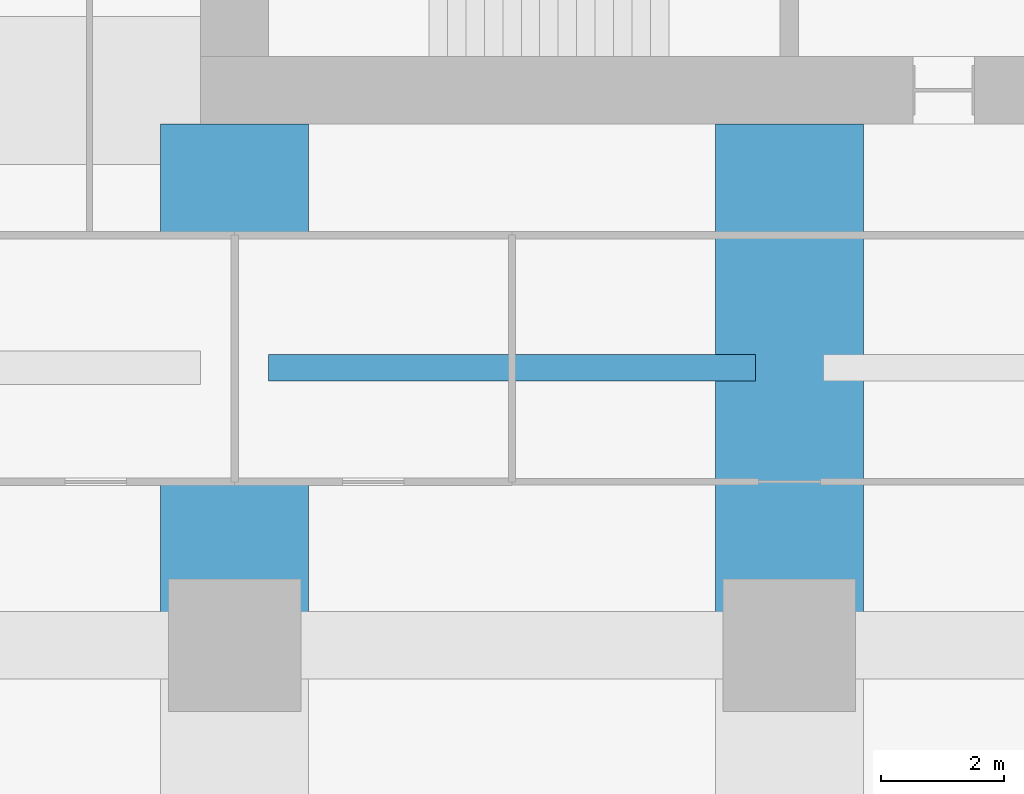
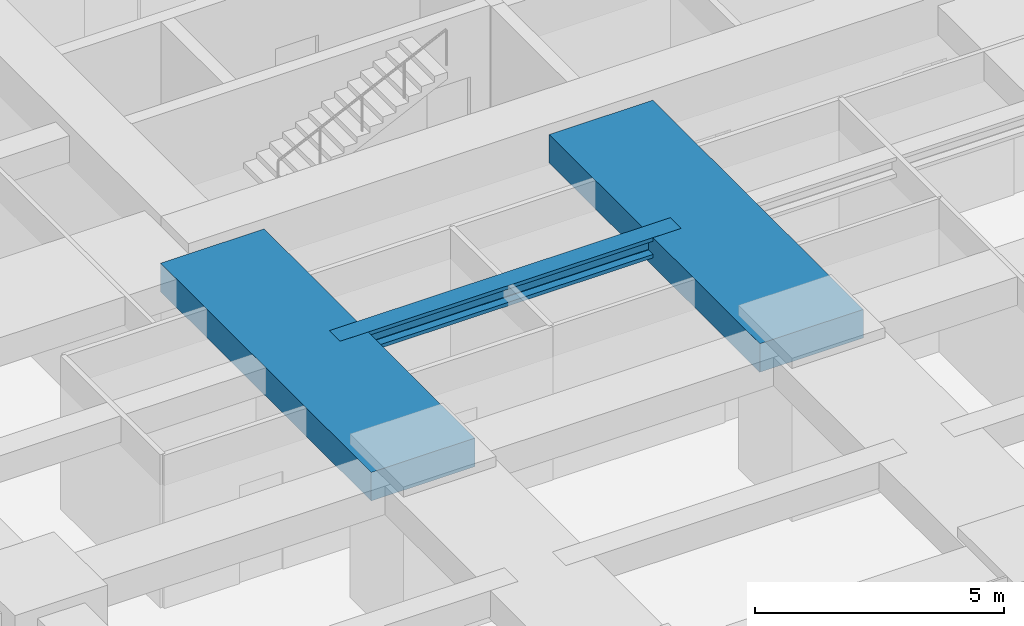
# One storey, part 7 of 44: 3 beams.
"""IFC4 building model written with IfcOpenShell, lengths in metres."""

from ifc_helpers import new_model, si_unit, direction, frame, origin, origin_2d, place, context, subcontext, project, spatial, rectangle, i_section, extrude, material, material_profile, profile_set, type_object, element, save


model = new_model("IFC4")

# Units and contexts
model_context = context("Model", 3, precision=1e-05, world=origin(), true_north=direction((0.0, 1.0)))
body_context = subcontext(model_context, "Body", "Model", "MODEL_VIEW")
ifc_project = project(units=[si_unit("LENGTHUNIT", "METRE"), si_unit("AREAUNIT", "SQUARE_METRE"), si_unit("VOLUMEUNIT", "CUBIC_METRE"), si_unit("PLANEANGLEUNIT", "RADIAN"), si_unit("MASSUNIT", "GRAM", prefix="KILO")], contexts=[model_context])

# Site, building, storey
site_placement = place(None, origin())
site = spatial("IfcSite", under=ifc_project, at=site_placement, CompositionType="ELEMENT")
building_placement = place(site_placement, origin())
building = spatial("IfcBuilding", under=site, at=building_placement, Name="Zorevar Civic Tower", CompositionType="ELEMENT")
storey_placement = place(building_placement, frame((0.0, 0.0, 63.800048828125)))
storey = spatial("IfcBuildingStorey", under=building, at=storey_placement, Name="L15", CompositionType="ELEMENT", Elevation=63.800048828125)

# Beams
ifc_material_1 = material(Name="Concrete C50/60", Category="concrete")
ifc_material_profile_1 = material_profile(ifc_material_1, rectangle(XDim=2.39990234375, YDim=0.699951171875, at=origin_2d()), Name="RC 2400x700")
ifc_profile_set_1 = profile_set([ifc_material_profile_1], Name="Concrete C50/60")
beam_type_1 = type_object("IfcBeamType", Name="Beam RC 2400x700", PredefinedType="BEAM", material=ifc_profile_set_1)
for number, where, z_axis, x_axis, name in (
    (1, (18.0, 9.0, 3.39990234375), (0.0, 1.0, 0.0), (-1.0, 0.0, 0.0), "Girder L16"),
    (2, (27.0, 9.0, 3.39990234375), (0.0, 1.0, 0.0), (-1.0, 0.0, 0.0), "Girder L16"),
):
    element("IfcBeam", number, at=place(storey_placement, frame(where, z_axis=z_axis, x_axis=x_axis)), inside=storey, type_object=beam_type_1, Name=name, PredefinedType="BEAM", context=body_context, shape_type="SweptSolid", body=[
        extrude(rectangle(XDim=2.39990234375, YDim=0.699951171875, at=origin_2d()), origin(), (0.0, 0.0, 1.0), 8.449951171875),
    ])
ifc_material_2 = material(Name="Steel S460M (HISTAR 460)", Category="steel")
ifc_material_profile_2 = material_profile(ifc_material_2, i_section(OverallWidth=0.431884765625, OverallDepth=0.498046875, WebThickness=0.0556640625, FlangeThickness=0.0888671875, FilletRadius=0.014892578125, at=origin_2d()), Name="HD 400x744")
ifc_profile_set_2 = profile_set([ifc_material_profile_2], Name="Steel S460M (HISTAR 460)")
beam_type_2 = type_object("IfcBeamType", Name="Core bay beam HD 400x744", PredefinedType="BEAM", material=ifc_profile_set_2)
beam_placement = place(storey_placement, frame((18.550048828125, 13.5, 3.5009765625), z_axis=(1.0, 0.0, 0.0), x_axis=(0.0, 1.0, 0.0)))
element("IfcBeam", 3, at=beam_placement, inside=storey, type_object=beam_type_2, Name="Secondary beam L16", PredefinedType="BEAM", context=body_context, shape_type="SweptSolid", body=[
    extrude(i_section(OverallWidth=0.431884765625, OverallDepth=0.498046875, WebThickness=0.0556640625, FlangeThickness=0.0888671875, FilletRadius=0.014892578125, at=origin_2d()), origin(), (0.0, 0.0, 1.0), 7.89990234375),
])

save(model, "model.ifc")
